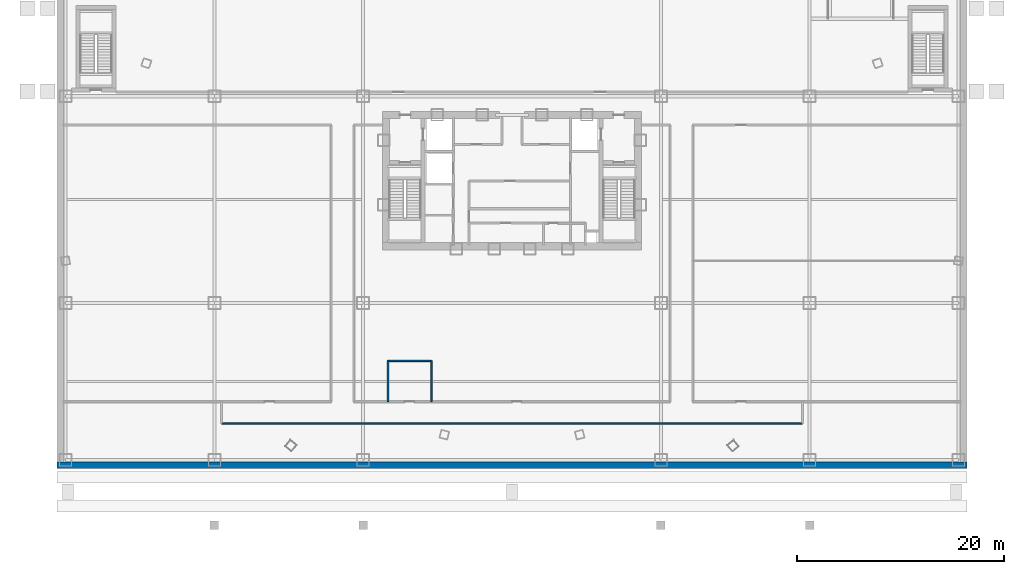
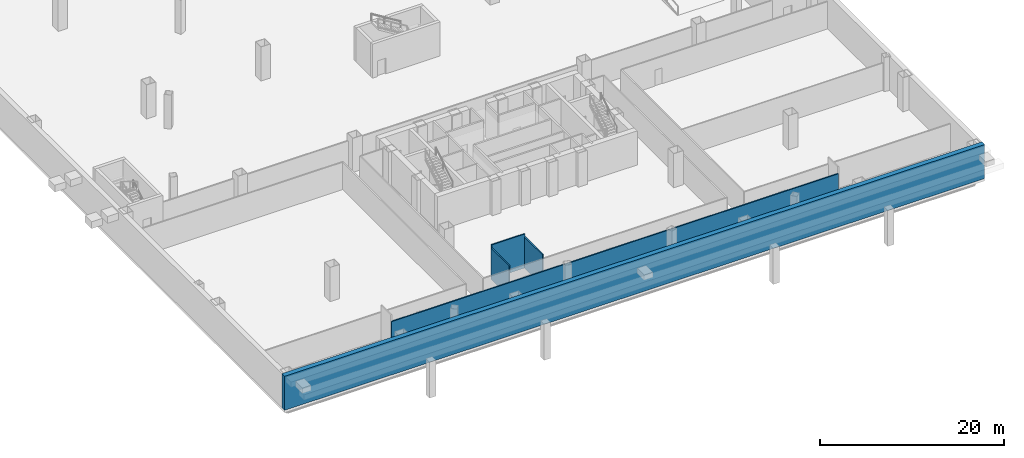
# One storey, part 7 of 16: 5 walls.
"""IFC4 building model written with IfcOpenShell, lengths in metres."""

from ifc_helpers import new_model, si_unit, direction, frame, frame_2d, origin, place, context, subcontext, project, spatial, rectangle, extrude, material, layer, layer_set, type_object, element, save


model = new_model("IFC4")

# Units and contexts
model_context = context("Model", 3, precision=1e-05, world=origin(), true_north=direction((0.0, 1.0)))
body_context = subcontext(model_context, "Body", "Model", "MODEL_VIEW")
ifc_project = project(units=[si_unit("LENGTHUNIT", "METRE"), si_unit("AREAUNIT", "SQUARE_METRE"), si_unit("VOLUMEUNIT", "CUBIC_METRE"), si_unit("PLANEANGLEUNIT", "RADIAN"), si_unit("MASSUNIT", "GRAM", prefix="KILO"), si_unit("THERMODYNAMICTEMPERATUREUNIT", "KELVIN"), si_unit("POWERUNIT", "WATT")], contexts=[model_context])

# Site, building, storey
site_placement = place(None, origin())
site = spatial("IfcSite", under=ifc_project, at=site_placement, CompositionType="ELEMENT")
building_placement = place(site_placement, origin())
building = spatial("IfcBuilding", under=site, at=building_placement, Name="Yunzhuo Pagoda Commons", CompositionType="ELEMENT")
storey_placement = place(building_placement, frame((0.0, 0.0, -4.800048828125)))
storey = spatial("IfcBuildingStorey", under=building, at=storey_placement, Name="B01", CompositionType="ELEMENT", Elevation=-4.800048828125)

# Walls
ifc_material_1 = material(Name="Concrete C50", Category="concrete")
ifc_layer_1 = layer(ifc_material_1, 0.60009765625)
ifc_layer_set_1 = layer_set([ifc_layer_1], Name="Concrete C50")
wall_type_1 = type_object("IfcWallType", Name="W-B01 Basement Perimeter Retaining Wall 600", PredefinedType="SHEAR", material=ifc_layer_set_1)
wall_1_placement = place(storey_placement, frame((4.0, 6.300048828125, 0.0), z_axis=(0.0, 0.0, 1.0), x_axis=(1.0, 0.0, 0.0)))
element("IfcWall", 1, at=wall_1_placement, inside=storey, type_object=wall_type_1, Name="B01 S basement retaining wall", PredefinedType="SHEAR", context=body_context, shape_type="SweptSolid", body=[
    extrude(rectangle(XDim=88.0, YDim=0.60009765625, at=frame_2d((44.0, 0.0))), origin(), (0.0, 0.0, 1.0), 4.52001953125),
])
ifc_material_2 = material(Name="Gypsum plasterboard on acoustic stud")
ifc_layer_2 = layer(ifc_material_2, 0.159912109375)
ifc_layer_set_2 = layer_set([ifc_layer_2], Name="Gypsum plasterboard on acoustic stud")
wall_type_2 = type_object("IfcWallType", Name="W-COR1 Tower Rated Corridor Wall 160", PredefinedType="PARTITIONING", material=ifc_layer_set_2)
wall_2_placement = place(storey_placement, frame((36.0, 12.449951171875, 0.0), z_axis=(0.0, 0.0, 1.0), x_axis=(0.0, 1.0, 0.0)))
element("IfcWall", 2, at=wall_2_placement, inside=storey, type_object=wall_type_2, Name="B01 interior wall IW-B01-BWCW", PredefinedType="PARTITIONING", context=body_context, shape_type="SweptSolid", body=[
    extrude(rectangle(XDim=3.949951171875, YDim=0.159912109375, at=frame_2d((1.97509765625, 0.0))), origin(), (0.0, 0.0, 1.0), 4.1201171875),
])
wall_3_placement = place(storey_placement, frame((36.0, 16.39990234375, 0.0), z_axis=(0.0, 0.0, 1.0), x_axis=(1.0, 0.0, 0.0)))
element("IfcWall", 3, at=wall_3_placement, inside=storey, type_object=wall_type_2, Name="B01 interior wall IW-B01-BWCN", PredefinedType="PARTITIONING", context=body_context, shape_type="SweptSolid", body=[
    extrude(rectangle(XDim=4.199951171875, YDim=0.159912109375, at=frame_2d((2.10009765625, 0.0))), origin(), (0.0, 0.0, 1.0), 4.52001953125),
])
wall_4_placement = place(storey_placement, frame((40.199951171875, 12.449951171875, 0.0), z_axis=(0.0, 0.0, 1.0), x_axis=(0.0, 1.0, 0.0)))
element("IfcWall", 4, at=wall_4_placement, inside=storey, type_object=wall_type_2, Name="B01 interior wall IW-B01-BWCE", PredefinedType="PARTITIONING", context=body_context, shape_type="SweptSolid", body=[
    extrude(rectangle(XDim=3.949951171875, YDim=0.159912109375, at=frame_2d((1.97509765625, 0.0))), origin(), (0.0, 0.0, 1.0), 4.1201171875),
])
wall_5_placement = place(storey_placement, frame((19.89990234375, 10.35009765625, 0.0), z_axis=(0.0, 0.0, 1.0), x_axis=(1.0, 0.0, 0.0)))
element("IfcWall", 5, at=wall_5_placement, inside=storey, type_object=wall_type_2, Name="B01 interior wall IW-B01-SCORS", PredefinedType="PARTITIONING", context=body_context, shape_type="SweptSolid", body=[
    extrude(rectangle(XDim=56.2001953125, YDim=0.159912109375, at=frame_2d((28.10009765625, 0.0))), origin(), (0.0, 0.0, 1.0), 3.6201171875),
])

save(model, "model.ifc")
